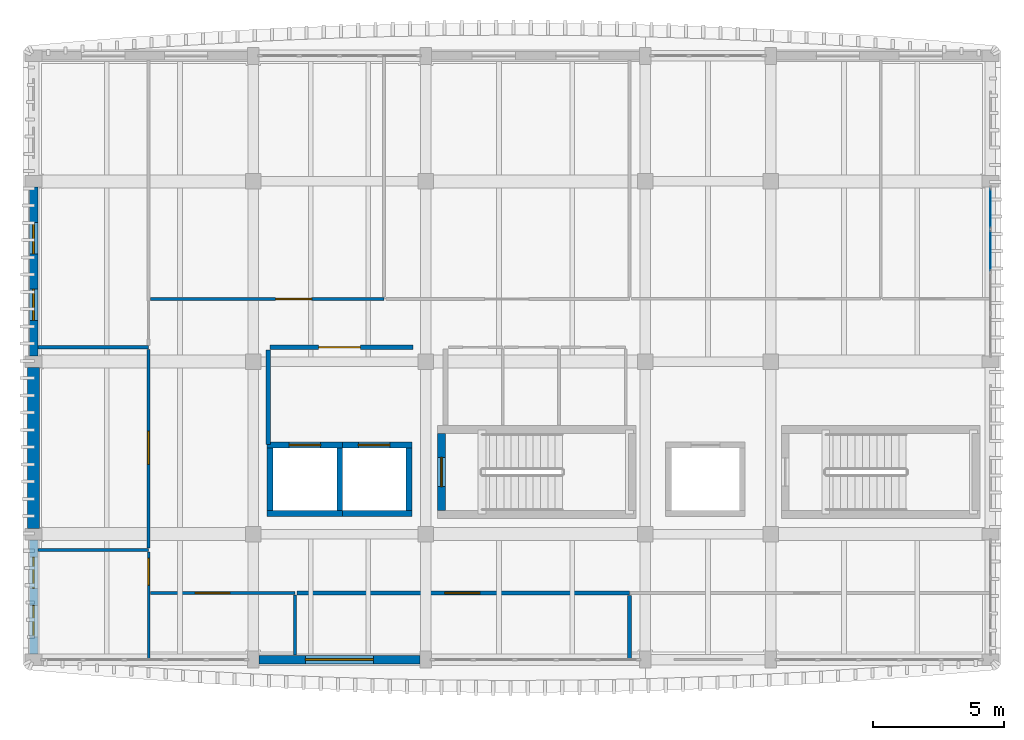
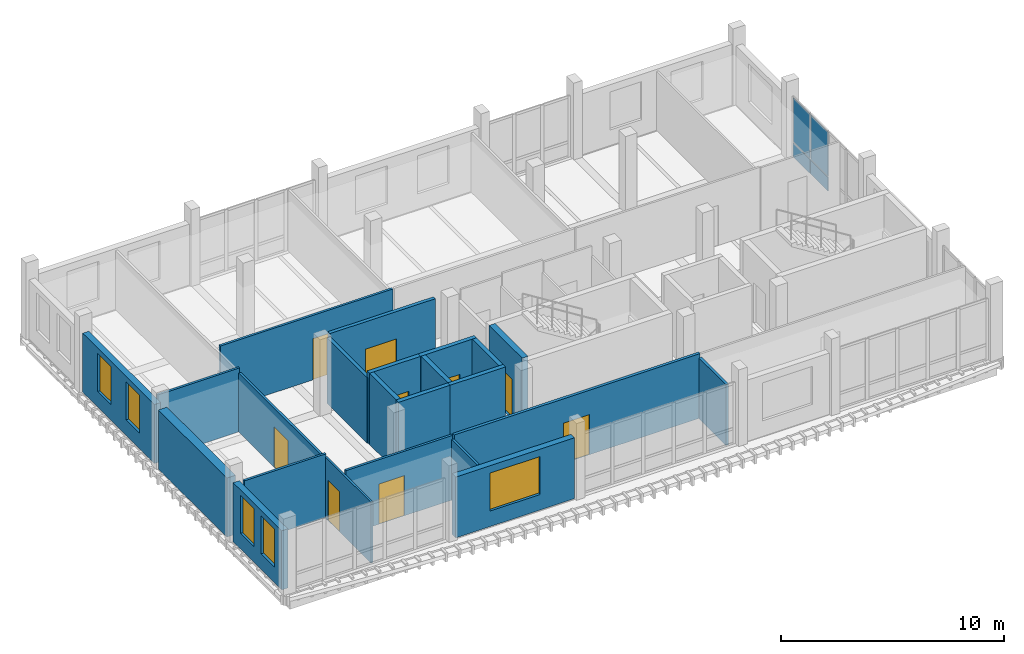
# One storey, part 7 of 16: 23 walls, 9 doors, 5 windows, 4 plates, 14 openings, 1 element without a shape of its own.
"""IFC4 building model written with IfcOpenShell, lengths in metres."""

from ifc_helpers import new_model, si_unit, direction, frame, frame_2d, origin, origin_2d, place, context, subcontext, project, spatial, rectangle, extrude, material, layer, layer_set, type_object, element, fill, aggregate, save


model = new_model("IFC4")

# Units and contexts
model_context = context("Model", 3, precision=1e-05, world=origin(), true_north=direction((0.0, 1.0)))
body_context = subcontext(model_context, "Body", "Model", "MODEL_VIEW")
ifc_project = project(units=[si_unit("LENGTHUNIT", "METRE"), si_unit("AREAUNIT", "SQUARE_METRE"), si_unit("VOLUMEUNIT", "CUBIC_METRE"), si_unit("PLANEANGLEUNIT", "RADIAN"), si_unit("MASSUNIT", "GRAM", prefix="KILO")], contexts=[model_context])

# Site, building, storey
site_placement = place(None, origin())
site = spatial("IfcSite", under=ifc_project, at=site_placement, CompositionType="ELEMENT")
building_placement = place(site_placement, origin())
building = spatial("IfcBuilding", under=site, at=building_placement, Name="Dornvale Research Institute", CompositionType="ELEMENT")
storey_placement = place(building_placement, frame((0.0, 0.0, 38.39990234375)))
storey = spatial("IfcBuildingStorey", under=building, at=storey_placement, Name="L08", CompositionType="ELEMENT", Elevation=38.39990234375)

# Curtain wall, plates
ifc_material_1 = material(Name="Low-E Argon Double Insulating Glazing Unit", Category="glass")
curtain_wall_type = type_object("IfcCurtainWallType", Name="UnitisedCurtainWall_V5_6450x3350", PredefinedType="USERDEFINED", material=ifc_material_1)
curtain_wall_placement = place(storey_placement, origin())
curtain_wall = element("IfcCurtainWall", 1, at=curtain_wall_placement, inside=storey, type_object=curtain_wall_type, Name="L08 V5 unitised curtain wall CW-36 #190", ObjectType="UNITISED CURTAIN WALL", PredefinedType="USERDEFINED")
ifc_material_2 = material(Name="Insulated Ceramic-Frit Spandrel Glass Panel", Category="glass")
ifc_layer_1 = layer(ifc_material_2, 0.0419921875)
ifc_layer_set_1 = layer_set([ifc_layer_1], Name="Insulated Ceramic-Frit Spandrel Glass Panel")
plate_type_1 = type_object("IfcPlateType", Name="CurtainPanel_Spandrel_42", PredefinedType="CURTAIN_PANEL", material=ifc_layer_set_1)
plate_1_placement = place(storey_placement, frame((41.39990234375, 116.25244140625, 0.065185546875), z_axis=(0.0, 0.0, 1.0), x_axis=(0.0, -1.0, 0.0)))
plate_1 = element("IfcPlate", 2, at=plate_1_placement, type_object=plate_type_1, Name="CW-36 panel 1.1", PredefinedType="CURTAIN_PANEL", context=body_context, shape_type="SweptSolid", body=[
    extrude(rectangle(XDim=1.514892578125, YDim=0.0419921875, at=origin_2d()), origin(), (0.0, 0.0, 1.0), 0.75244140625),
])
plate_2_placement = place(storey_placement, frame((41.39990234375, 114.65625, 0.065185546875), z_axis=(0.0, 0.0, 1.0), x_axis=(0.0, -1.0, 0.0)))
plate_2 = element("IfcPlate", 3, at=plate_2_placement, type_object=plate_type_1, Name="CW-36 panel 2.1", PredefinedType="CURTAIN_PANEL", context=body_context, shape_type="SweptSolid", body=[
    extrude(rectangle(XDim=1.547607421875, YDim=0.0419921875, at=origin_2d()), origin(), (0.0, 0.0, 1.0), 0.75244140625),
])
ifc_material_3 = material(Name="Low-E Argon Double Insulating Glazing Unit", Category="glass")
ifc_layer_2 = layer(ifc_material_3, 0.028076171875)
ifc_layer_set_2 = layer_set([ifc_layer_2], Name="Low-E Argon Double Insulating Glazing Unit")
plate_type_2 = type_object("IfcPlateType", Name="CurtainPanel_Vision_28", PredefinedType="CURTAIN_PANEL", material=ifc_layer_set_2)
plate_3_placement = place(storey_placement, frame((41.39990234375, 116.25244140625, 0.88232421875), z_axis=(0.0, 0.0, 1.0), x_axis=(0.0, -1.0, 0.0)))
plate_3 = element("IfcPlate", 4, at=plate_3_placement, type_object=plate_type_2, Name="CW-36 panel 1.2", PredefinedType="CURTAIN_PANEL", context=body_context, shape_type="SweptSolid", body=[
    extrude(rectangle(XDim=1.514892578125, YDim=0.028076171875, at=origin_2d()), origin(), (0.0, 0.0, 1.0), 2.402587890625),
])
plate_4_placement = place(storey_placement, frame((41.39990234375, 114.65625, 0.88232421875), z_axis=(0.0, 0.0, 1.0), x_axis=(0.0, -1.0, 0.0)))
plate_4 = element("IfcPlate", 5, at=plate_4_placement, type_object=plate_type_2, Name="CW-36 panel 2.2", PredefinedType="CURTAIN_PANEL", context=body_context, shape_type="SweptSolid", body=[
    extrude(rectangle(XDim=1.547607421875, YDim=0.028076171875, at=origin_2d()), origin(), (0.0, 0.0, 1.0), 2.402587890625),
])
aggregate(curtain_wall, [plate_1, plate_3, plate_2, plate_4])

# Walls
ifc_material_4 = material(Name="Acoustic Insulated Double-Stud Laboratory Partition")
ifc_layer_3 = layer(ifc_material_4, 0.1201171875)
ifc_layer_set_3 = layer_set([ifc_layer_3], Name="Acoustic Insulated Double-Stud Laboratory Partition")
wall_type_1 = type_object("IfcWallType", Name="Partition_Dry_120", PredefinedType="PARTITIONING", material=ifc_layer_set_3)
for number, where, z_axis, x_axis, name in (
    (6, (4.97509765625, 103.199951171875, 0.0), (0.0, 0.0, 1.0), (1.0, 0.0, 0.0), "L08 V5 interior partition #565"),
    (7, (4.97509765625, 110.949951171875, 0.0), (0.0, 0.0, 1.0), (1.0, 0.0, 0.0), "L08 V5 interior partition #566"),
):
    element("IfcWall", number, at=place(storey_placement, frame(where, z_axis=z_axis, x_axis=x_axis)), inside=storey, type_object=wall_type_1, Name=name, PredefinedType="PARTITIONING", context=body_context, shape_type="SweptSolid", body=[
        extrude(rectangle(XDim=4.224853515625, YDim=0.1201171875, at=frame_2d((2.1123046875, 0.0))), origin(), (0.0, 0.0, 1.0), 3.47998046875),
    ])

# Wall, opening, door
wall_1_placement = place(storey_placement, frame((9.199951171875, 103.27490234375, 0.0), z_axis=(0.0, 0.0, 1.0), x_axis=(0.0, 1.0, 0.0)))
wall_1 = element("IfcWall", 8, at=wall_1_placement, inside=storey, type_object=wall_type_1, Name="L08 V5 interior partition #567", PredefinedType="PARTITIONING", context=body_context, shape_type="SweptSolid", body=[
    extrude(rectangle(XDim=7.60009765625, YDim=0.1201171875, at=frame_2d((3.800048828125, 0.0))), origin(), (0.0, 0.0, 1.0), 3.22998046875),
])
opening_1_placement = place(wall_1_placement, frame((3.195068359375, 0.0, 0.0)))
opening_1 = element("IfcOpeningElement", 9, at=opening_1_placement, cuts=wall_1, Name="Opening ID-10", PredefinedType="OPENING", context=body_context, shape_type="SweptSolid", body=[
    extrude(rectangle(XDim=1.260009765625, YDim=2.199951171875, at=frame_2d((0.6298828125, 1.10009765625))), frame((0.0, 0.074951171875, 0.0), z_axis=(0.0, -1.0, 0.0), x_axis=(1.0, 0.0, 0.0)), (0.0, 0.0, 1.0), 0.150146484375),
])
ifc_material_5 = material(Name="Phenolic-Faced Solid-Core Laboratory Door Assembly")
door_type_1 = type_object("IfcDoorType", Name="Door_DryLab_1260x2200", OperationType="SINGLE_SWING_LEFT", PredefinedType="DOOR", material=ifc_material_5)
door_1_placement = place(opening_1_placement, origin())
door_1 = element("IfcDoor", 10, at=door_1_placement, inside=storey, type_object=door_type_1, Name="L08 Biophysics Laser Bench Room L08 door #236", OperationType="SINGLE_SWING_LEFT", OverallHeight=2.199951171875, OverallWidth=1.260009765625, PredefinedType="DOOR", context=body_context, shape_type="SweptSolid", body=[
    extrude(rectangle(XDim=1.260009765625, YDim=2.199951171875, at=frame_2d((0.6298828125, 1.10009765625))), frame((0.0, 0.02490234375, 0.0), z_axis=(0.0, -1.0, 0.0), x_axis=(1.0, 0.0, 0.0)), (0.0, 0.0, 1.0), 0.050048828125),
])
fill(opening_1, door_1)

wall_2_placement = place(storey_placement, frame((9.27490234375, 112.800048828125, 0.0), z_axis=(0.0, 0.0, 1.0), x_axis=(1.0, 0.0, 0.0)))
wall_2 = element("IfcWall", 11, at=wall_2_placement, inside=storey, type_object=wall_type_1, Name="L08 V5 interior partition #569", PredefinedType="PARTITIONING", context=body_context, shape_type="SweptSolid", body=[
    extrude(rectangle(XDim=8.925048828125, YDim=0.1201171875, at=frame_2d((4.46240234375, 0.0))), origin(), (0.0, 0.0, 1.0), 3.530029296875),
])
opening_2_placement = place(wall_2_placement, frame((4.784912109375, 0.0, 0.0)))
opening_2 = element("IfcOpeningElement", 12, at=opening_2_placement, cuts=wall_2, Name="Opening ID-08", PredefinedType="OPENING", context=body_context, shape_type="SweptSolid", body=[
    extrude(rectangle(XDim=1.3798828125, YDim=2.25, at=frame_2d((0.68994140625, 1.125))), frame((0.0, 0.074951171875, 0.0), z_axis=(0.0, -1.0, 0.0), x_axis=(1.0, 0.0, 0.0)), (0.0, 0.0, 1.0), 0.150146484375),
])
ifc_material_6 = material(Name="Insulated Fire-Rated Hollow Metal Door Assembly")
door_type_2 = type_object("IfcDoorType", Name="Door_DryLab_1380x2250", OperationType="SINGLE_SWING_LEFT", PredefinedType="DOOR", material=ifc_material_6)
door_2_placement = place(opening_2_placement, origin())
door_2 = element("IfcDoor", 13, at=door_2_placement, inside=storey, type_object=door_type_2, Name="L08 Theoretical Biophysics Laboratory door #238", OperationType="SINGLE_SWING_LEFT", OverallHeight=2.25, OverallWidth=1.3798828125, PredefinedType="DOOR", context=body_context, shape_type="SweptSolid", body=[
    extrude(rectangle(XDim=1.3798828125, YDim=2.25, at=frame_2d((0.68994140625, 1.125))), frame((0.0, 0.02490234375, 0.0), z_axis=(0.0, -1.0, 0.0), x_axis=(1.0, 0.0, 0.0)), (0.0, 0.0, 1.0), 0.050048828125),
])
fill(opening_2, door_2)

wall_3_placement = place(storey_placement, frame((9.264892578125, 101.550048828125, 0.0), z_axis=(0.0, 0.0, 1.0), x_axis=(1.0, 0.0, 0.0)))
wall_3 = element("IfcWall", 14, at=wall_3_placement, inside=storey, type_object=wall_type_1, Name="L08 V5 interior partition #577", PredefinedType="PARTITIONING", context=body_context, shape_type="SweptSolid", body=[
    extrude(rectangle(XDim=5.53515625, YDim=0.1201171875, at=frame_2d((2.767578125, 0.0))), origin(), (0.0, 0.0, 1.0), 3.530029296875),
])
opening_3_placement = place(wall_3_placement, frame((1.72509765625, 0.0, 0.0)))
opening_3 = element("IfcOpeningElement", 15, at=opening_3_placement, cuts=wall_3, Name="Opening ID-09", PredefinedType="OPENING", context=body_context, shape_type="SweptSolid", body=[
    extrude(rectangle(XDim=1.320068359375, YDim=2.199951171875, at=frame_2d((0.66015625, 1.10009765625))), frame((0.0, 0.074951171875, 0.0), z_axis=(0.0, -1.0, 0.0), x_axis=(1.0, 0.0, 0.0)), (0.0, 0.0, 1.0), 0.150146484375),
])
ifc_material_7 = material(Name="Phenolic-Faced Solid-Core Laboratory Door Assembly")
door_type_3 = type_object("IfcDoorType", Name="Door_DryLab_1320x2200", OperationType="SINGLE_SWING_LEFT", PredefinedType="DOOR", material=ifc_material_7)
door_3_placement = place(opening_3_placement, origin())
door_3 = element("IfcDoor", 16, at=door_3_placement, inside=storey, type_object=door_type_3, Name="L08 Evolutionary Dynamics Computational Lab door #243", OperationType="SINGLE_SWING_RIGHT", OverallHeight=2.199951171875, OverallWidth=1.320068359375, PredefinedType="DOOR", context=body_context, shape_type="SweptSolid", body=[
    extrude(rectangle(XDim=1.320068359375, YDim=2.199951171875, at=frame_2d((0.66015625, 1.10009765625))), frame((0.0, 0.02490234375, 0.0), z_axis=(0.0, -1.0, 0.0), x_axis=(1.0, 0.0, 0.0)), (0.0, 0.0, 1.0), 0.050048828125),
])
fill(opening_3, door_3)

# Wall
wall_4_placement = place(storey_placement, frame((14.800048828125, 99.175048828125, 0.0), z_axis=(0.0, 0.0, 1.0), x_axis=(0.0, 1.0, 0.0)))
element("IfcWall", 17, at=wall_4_placement, inside=storey, type_object=wall_type_1, Name="L08 V5 interior partition #578", PredefinedType="PARTITIONING", context=body_context, shape_type="SweptSolid", body=[
    extrude(rectangle(XDim=2.300048828125, YDim=0.1201171875, at=frame_2d((1.14990234375, 0.0))), origin(), (0.0, 0.0, 1.0), 3.330078125),
])

# Wall, opening, door
ifc_material_8 = material(Name="Fire-Rated Gypsum Board on Cold-Formed Steel Studs", Category="steel")
ifc_layer_4 = layer(ifc_material_8, 0.179931640625)
ifc_layer_set_4 = layer_set([ifc_layer_4], Name="Fire-Rated Gypsum Board on Cold-Formed Steel Studs")
wall_type_2 = type_object("IfcWallType", Name="Partition_FireLobby_180", PredefinedType="PARTITIONING", material=ifc_layer_set_4)
wall_5_placement = place(storey_placement, frame((13.85009765625, 110.949951171875, 0.0), z_axis=(0.0, 0.0, 1.0), x_axis=(1.0, 0.0, 0.0)))
wall_5 = element("IfcWall", 18, at=wall_5_placement, inside=storey, type_object=wall_type_2, Name="L08 Fire Service Access Elevator Lobby north rated partition", PredefinedType="PARTITIONING", context=body_context, shape_type="SweptSolid", body=[
    extrude(rectangle(XDim=5.469970703125, YDim=0.179931640625, at=frame_2d((2.73486328125, 0.0))), origin(), (0.0, 0.0, 1.0), 3.7451171875),
])
opening_4_placement = place(wall_5_placement, frame((1.85009765625, 0.0, 0.0)))
opening_4 = element("IfcOpeningElement", 19, at=opening_4_placement, cuts=wall_5, Name="Opening FD-01", PredefinedType="OPENING", context=body_context, shape_type="SweptSolid", body=[
    extrude(rectangle(XDim=1.60009765625, YDim=2.25, at=frame_2d((0.800048828125, 1.125))), frame((0.0, 0.10498046875, 0.0), z_axis=(0.0, -1.0, 0.0), x_axis=(1.0, 0.0, 0.0)), (0.0, 0.0, 1.0), 0.2099609375),
])
ifc_material_9 = material(Name="Insulated Fire-Rated Hollow Metal Door Assembly")
door_type_4 = type_object("IfcDoorType", Name="Door_FireLobby_1600x2250", OperationType="SINGLE_SWING_LEFT", PredefinedType="DOOR", material=ifc_material_9)
door_4_placement = place(opening_4_placement, origin())
door_4 = element("IfcDoor", 20, at=door_4_placement, inside=storey, type_object=door_type_4, Name="L08 Fire Service Access Elevator Lobby door", OperationType="DOUBLE_DOOR_SINGLE_SWING", OverallHeight=2.25, OverallWidth=1.60009765625, PredefinedType="DOOR", context=body_context, shape_type="SweptSolid", body=[
    extrude(rectangle(XDim=1.60009765625, YDim=2.25, at=frame_2d((0.800048828125, 1.125))), frame((0.0, 0.02490234375, 0.0), z_axis=(0.0, -1.0, 0.0), x_axis=(1.0, 0.0, 0.0)), (0.0, 0.0, 1.0), 0.050048828125),
])
fill(opening_4, door_4)

# Wall
wall_6_placement = place(storey_placement, frame((13.780029296875, 107.22998046875, 0.0), z_axis=(0.0, 0.0, 1.0), x_axis=(0.0, 1.0, 0.0)))
element("IfcWall", 21, at=wall_6_placement, inside=storey, type_object=wall_type_2, Name="L08 Fire Service Access Elevator Lobby west rated partition", PredefinedType="PARTITIONING", context=body_context, shape_type="SweptSolid", body=[
    extrude(rectangle(XDim=3.610107421875, YDim=0.179931640625, at=frame_2d((1.80517578125, 0.0))), origin(), (0.0, 0.0, 1.0), 3.580078125),
])

# Wall, opening, door
ifc_material_10 = material(Name="Acoustic Insulated Double-Stud Laboratory Partition")
ifc_layer_5 = layer(ifc_material_10, 0.14990234375)
ifc_layer_set_5 = layer_set([ifc_layer_5], Name="Acoustic Insulated Double-Stud Laboratory Partition")
wall_type_3 = type_object("IfcWallType", Name="Partition_Lab_150", PredefinedType="PARTITIONING", material=ifc_layer_set_5)
wall_7_placement = place(storey_placement, frame((14.875, 101.550048828125, 0.0), z_axis=(0.0, 0.0, 1.0), x_axis=(1.0, 0.0, 0.0)))
wall_7 = element("IfcWall", 22, at=wall_7_placement, inside=storey, type_object=wall_type_3, Name="L08 V5 interior partition #579", PredefinedType="PARTITIONING", context=body_context, shape_type="SweptSolid", body=[
    extrude(rectangle(XDim=12.72509765625, YDim=0.14990234375, at=frame_2d((6.362548828125, 0.0))), origin(), (0.0, 0.0, 1.0), 3.530029296875),
])
opening_5_placement = place(wall_7_placement, frame((5.655029296875, 0.0, 0.0)))
opening_5 = element("IfcOpeningElement", 23, at=opening_5_placement, cuts=wall_7, Name="Opening ID-15", PredefinedType="OPENING", context=body_context, shape_type="SweptSolid", body=[
    extrude(rectangle(XDim=1.340087890625, YDim=2.199951171875, at=frame_2d((0.669921875, 1.10009765625))), frame((0.0, 0.08984375, 0.0), z_axis=(0.0, -1.0, 0.0), x_axis=(1.0, 0.0, 0.0)), (0.0, 0.0, 1.0), 0.179931640625),
])
ifc_material_11 = material(Name="Insulated Fire-Rated Hollow Metal Door Assembly")
door_type_5 = type_object("IfcDoorType", Name="Door_Storage_1340x2200", OperationType="SINGLE_SWING_LEFT", PredefinedType="DOOR", material=ifc_material_11)
door_5_placement = place(opening_5_placement, origin())
door_5 = element("IfcDoor", 24, at=door_5_placement, inside=storey, type_object=door_type_5, Name="L08 Research Instrument Calibration Store door #244", OperationType="SINGLE_SWING_LEFT", OverallHeight=2.199951171875, OverallWidth=1.340087890625, PredefinedType="DOOR", context=body_context, shape_type="SweptSolid", body=[
    extrude(rectangle(XDim=1.340087890625, YDim=2.199951171875, at=frame_2d((0.669921875, 1.10009765625))), frame((0.0, 0.02490234375, 0.0), z_axis=(0.0, -1.0, 0.0), x_axis=(1.0, 0.0, 0.0)), (0.0, 0.0, 1.0), 0.050048828125),
])
fill(opening_5, door_5)

# Wall
wall_8_placement = place(storey_placement, frame((27.60009765625, 99.0400390625, 0.0), z_axis=(0.0, 0.0, 1.0), x_axis=(0.0, 1.0, 0.0)))
element("IfcWall", 25, at=wall_8_placement, inside=storey, type_object=wall_type_3, Name="L08 V5 interior partition #580", PredefinedType="PARTITIONING", context=body_context, shape_type="SweptSolid", body=[
    extrude(rectangle(XDim=2.419921875, YDim=0.14990234375, at=frame_2d((1.2099609375, 0.0))), origin(), (0.0, 0.0, 1.0), 3.330078125),
])

# Wall, opening, door
ifc_material_12 = material(Name="Acoustic Insulated Double-Stud Laboratory Partition")
ifc_layer_6 = layer(ifc_material_12, 0.10009765625)
ifc_layer_set_6 = layer_set([ifc_layer_6], Name="Acoustic Insulated Double-Stud Laboratory Partition")
wall_type_4 = type_object("IfcWallType", Name="Partition_Office_100", PredefinedType="PARTITIONING", material=ifc_layer_set_6)
wall_9_placement = place(storey_placement, frame((9.199951171875, 99.0400390625, 0.0), z_axis=(0.0, 0.0, 1.0), x_axis=(0.0, 1.0, 0.0)))
wall_9 = element("IfcWall", 26, at=wall_9_placement, inside=storey, type_object=wall_type_4, Name="L08 V5 interior partition #576", PredefinedType="PARTITIONING", context=body_context, shape_type="SweptSolid", body=[
    extrude(rectangle(XDim=4.0849609375, YDim=0.10009765625, at=frame_2d((2.04248046875, 0.0))), origin(), (0.0, 0.0, 1.0), 3.330078125),
])
opening_6_placement = place(wall_9_placement, frame((2.81494140625, 0.0, 0.0)))
opening_6 = element("IfcOpeningElement", 27, at=opening_6_placement, cuts=wall_9, Name="Opening ID-20", PredefinedType="OPENING", context=body_context, shape_type="SweptSolid", body=[
    extrude(rectangle(XDim=1.02001953125, YDim=2.199951171875, at=frame_2d((0.510009765625, 1.10009765625))), frame((0.0, 0.06494140625, 0.0), z_axis=(0.0, -1.0, 0.0), x_axis=(1.0, 0.0, 0.0)), (0.0, 0.0, 1.0), 0.130126953125),
])
ifc_material_13 = material(Name="Phenolic-Faced Solid-Core Laboratory Door Assembly")
door_type_6 = type_object("IfcDoorType", Name="Door_WriteUp_1020x2200", OperationType="SINGLE_SWING_LEFT", PredefinedType="DOOR", material=ifc_material_13)
door_6_placement = place(opening_6_placement, origin())
door_6 = element("IfcDoor", 28, at=door_6_placement, inside=storey, type_object=door_type_6, Name="L08 Research Instrument Study L08 door #242", OperationType="SINGLE_SWING_LEFT", OverallHeight=2.199951171875, OverallWidth=1.02001953125, PredefinedType="DOOR", context=body_context, shape_type="SweptSolid", body=[
    extrude(rectangle(XDim=1.02001953125, YDim=2.199951171875, at=frame_2d((0.510009765625, 1.10009765625))), frame((0.0, 0.02490234375, 0.0), z_axis=(0.0, -1.0, 0.0), x_axis=(1.0, 0.0, 0.0)), (0.0, 0.0, 1.0), 0.050048828125),
])
fill(opening_6, door_6)

ifc_material_14 = material(Name="Concrete f'c 50 MPa (C40/50)", Category="concrete")
ifc_layer_7 = layer(ifc_material_14, 0.300048828125)
ifc_layer_set_7 = layer_set([ifc_layer_7], Name="Concrete f'c 50 MPa (C40/50)")
wall_type_5 = type_object("IfcWallType", Name="ShearWall_Core_300", PredefinedType="SHEAR", material=ifc_layer_set_7)
wall_10_placement = place(storey_placement, frame((20.39990234375, 104.699951171875, 0.0), z_axis=(0.0, 0.0, 1.0), x_axis=(0.0, 1.0, 0.0)))
wall_10 = element("IfcWall", 29, at=wall_10_placement, inside=storey, type_object=wall_type_5, Name="L08 ST-1 shaft shear wall west", PredefinedType="SHEAR", context=body_context, shape_type="SweptSolid", body=[
    extrude(rectangle(XDim=2.9599609375, YDim=0.300048828125, at=frame_2d((1.47998046875, 0.0))), origin(), (0.0, 0.0, 1.0), 3.900146484375),
])
opening_7_placement = place(wall_10_placement, frame((0.919921875, 0.0, 0.0)))
opening_7 = element("IfcOpeningElement", 30, at=opening_7_placement, cuts=wall_10, Name="Opening SD-01", PredefinedType="OPENING", context=body_context, shape_type="SweptSolid", body=[
    extrude(rectangle(XDim=1.1201171875, YDim=2.199951171875, at=frame_2d((0.56005859375, 1.10009765625))), frame((0.0, 0.1650390625, 0.0), z_axis=(0.0, -1.0, 0.0), x_axis=(1.0, 0.0, 0.0)), (0.0, 0.0, 1.0), 0.330078125),
])
ifc_material_15 = material(Name="Insulated Fire-Rated Hollow Metal Door Assembly")
door_type_7 = type_object("IfcDoorType", Name="Door_Stair_1120x2200", OperationType="SINGLE_SWING_LEFT", PredefinedType="DOOR", material=ifc_material_15)
door_7_placement = place(opening_7_placement, origin())
door_7 = element("IfcDoor", 31, at=door_7_placement, inside=storey, type_object=door_type_7, Name="L08 ST-1 exit stair door #10", OperationType="SINGLE_SWING_RIGHT", OverallHeight=2.199951171875, OverallWidth=1.1201171875, PredefinedType="DOOR", context=body_context, shape_type="SweptSolid", body=[
    extrude(rectangle(XDim=1.1201171875, YDim=2.199951171875, at=frame_2d((0.56005859375, 1.10009765625))), frame((0.0, 0.02490234375, 0.0), z_axis=(0.0, -1.0, 0.0), x_axis=(1.0, 0.0, 0.0)), (0.0, 0.0, 1.0), 0.050048828125),
])
fill(opening_7, door_7)

# Wall
ifc_material_16 = material(Name="Concrete f'c 45 MPa (C35/45)", Category="concrete")
ifc_layer_8 = layer(ifc_material_16, 0.219970703125)
ifc_layer_set_8 = layer_set([ifc_layer_8], Name="Concrete f'c 45 MPa (C35/45)")
wall_type_6 = type_object("IfcWallType", Name="ShearWall_Shaft_220", PredefinedType="SHEAR", material=ifc_layer_set_8)
wall_11_placement = place(storey_placement, frame((13.72998046875, 104.590087890625, 0.0), z_axis=(0.0, 0.0, 1.0), x_axis=(1.0, 0.0, 0.0)))
element("IfcWall", 32, at=wall_11_placement, inside=storey, type_object=wall_type_6, Name="L08 FS1 elevator shaft wall south", PredefinedType="SHEAR", context=body_context, shape_type="SweptSolid", body=[
    extrude(rectangle(XDim=2.89013671875, YDim=0.219970703125, at=frame_2d((1.445068359375, 0.0))), origin(), (0.0, 0.0, 1.0), 3.900146484375),
])

# Wall, opening, door
wall_12_placement = place(storey_placement, frame((13.72998046875, 107.2099609375, 0.0), z_axis=(0.0, 0.0, 1.0), x_axis=(1.0, 0.0, 0.0)))
wall_12 = element("IfcWall", 33, at=wall_12_placement, inside=storey, type_object=wall_type_6, Name="L08 FS1 elevator shaft wall north", PredefinedType="SHEAR", context=body_context, shape_type="SweptSolid", body=[
    extrude(rectangle(XDim=2.89013671875, YDim=0.219970703125, at=frame_2d((1.445068359375, 0.0))), origin(), (0.0, 0.0, 1.0), 3.900146484375),
])
opening_8_placement = place(wall_12_placement, frame((0.844970703125, 0.0, 0.0)))
opening_8 = element("IfcOpeningElement", 34, at=opening_8_placement, cuts=wall_12, Name="Opening LD-01", PredefinedType="OPENING", context=body_context, shape_type="SweptSolid", body=[
    extrude(rectangle(XDim=1.199951171875, YDim=2.199951171875, at=frame_2d((0.60009765625, 1.10009765625))), frame((0.0, 0.125, 0.0), z_axis=(0.0, -1.0, 0.0), x_axis=(1.0, 0.0, 0.0)), (0.0, 0.0, 1.0), 0.25),
])
ifc_material_17 = material(Name="Brushed Stainless Steel Sliding Elevator Landing Door", Category="steel")
door_type_8 = type_object("IfcDoorType", Name="Door_LiftLanding_FSAE_1200x2200", OperationType="SINGLE_SWING_LEFT", PredefinedType="DOOR", material=ifc_material_17)
door_8_placement = place(opening_8_placement, origin())
door_8 = element("IfcDoor", 35, at=door_8_placement, inside=storey, type_object=door_type_8, Name="L08 FS1 sliding elevator landing door #10", OperationType="DOUBLE_DOOR_SLIDING", OverallHeight=2.199951171875, OverallWidth=1.199951171875, PredefinedType="DOOR", context=body_context, shape_type="SweptSolid", body=[
    extrude(rectangle(XDim=1.199951171875, YDim=2.199951171875, at=frame_2d((0.60009765625, 1.10009765625))), frame((0.0, 0.02490234375, 0.0), z_axis=(0.0, -1.0, 0.0), x_axis=(1.0, 0.0, 0.0)), (0.0, 0.0, 1.0), 0.050048828125),
])
fill(opening_8, door_8)

# Walls
for number, where, z_axis, x_axis, name in (
    (36, (13.840087890625, 104.699951171875, 0.0), (0.0, 0.0, 1.0), (0.0, 1.0, 0.0), "L08 FS1 elevator shaft wall west"),
    (37, (16.510009765625, 104.699951171875, 0.0), (0.0, 0.0, 1.0), (0.0, 1.0, 0.0), "L08 FS1 elevator shaft wall east"),
):
    element("IfcWall", number, at=place(storey_placement, frame(where, z_axis=z_axis, x_axis=x_axis)), inside=storey, type_object=wall_type_6, Name=name, PredefinedType="SHEAR", context=body_context, shape_type="SweptSolid", body=[
        extrude(rectangle(XDim=2.400146484375, YDim=0.219970703125, at=frame_2d((1.2001953125, 0.0))), origin(), (0.0, 0.0, 1.0), 3.900146484375),
    ])
wall_13_placement = place(storey_placement, frame((16.3798828125, 104.590087890625, 0.0), z_axis=(0.0, 0.0, 1.0), x_axis=(1.0, 0.0, 0.0)))
element("IfcWall", 38, at=wall_13_placement, inside=storey, type_object=wall_type_6, Name="L08 FS2 elevator shaft wall south", PredefinedType="SHEAR", context=body_context, shape_type="SweptSolid", body=[
    extrude(rectangle(XDim=2.89013671875, YDim=0.219970703125, at=frame_2d((1.445068359375, 0.0))), origin(), (0.0, 0.0, 1.0), 3.900146484375),
])

# Wall, opening, door
wall_14_placement = place(storey_placement, frame((16.3798828125, 107.2099609375, 0.0), z_axis=(0.0, 0.0, 1.0), x_axis=(1.0, 0.0, 0.0)))
wall_14 = element("IfcWall", 39, at=wall_14_placement, inside=storey, type_object=wall_type_6, Name="L08 FS2 elevator shaft wall north", PredefinedType="SHEAR", context=body_context, shape_type="SweptSolid", body=[
    extrude(rectangle(XDim=2.89013671875, YDim=0.219970703125, at=frame_2d((1.445068359375, 0.0))), origin(), (0.0, 0.0, 1.0), 3.900146484375),
])
opening_9_placement = place(wall_14_placement, frame((0.844970703125, 0.0, 0.0)))
opening_9 = element("IfcOpeningElement", 40, at=opening_9_placement, cuts=wall_14, Name="Opening LD-01", PredefinedType="OPENING", context=body_context, shape_type="SweptSolid", body=[
    extrude(rectangle(XDim=1.199951171875, YDim=2.199951171875, at=frame_2d((0.60009765625, 1.10009765625))), frame((0.0, 0.125, 0.0), z_axis=(0.0, -1.0, 0.0), x_axis=(1.0, 0.0, 0.0)), (0.0, 0.0, 1.0), 0.25),
])
door_9_placement = place(opening_9_placement, origin())
door_9 = element("IfcDoor", 41, at=door_9_placement, inside=storey, type_object=door_type_8, Name="L08 FS2 sliding elevator landing door #22", OperationType="DOUBLE_DOOR_SLIDING", OverallHeight=2.199951171875, OverallWidth=1.199951171875, PredefinedType="DOOR", context=body_context, shape_type="SweptSolid", body=[
    extrude(rectangle(XDim=1.199951171875, YDim=2.199951171875, at=frame_2d((0.60009765625, 1.10009765625))), frame((0.0, 0.02490234375, 0.0), z_axis=(0.0, -1.0, 0.0), x_axis=(1.0, 0.0, 0.0)), (0.0, 0.0, 1.0), 0.050048828125),
])
fill(opening_9, door_9)

# Walls
wall_15_placement = place(storey_placement, frame((19.159912109375, 104.699951171875, 0.0), z_axis=(0.0, 0.0, 1.0), x_axis=(0.0, 1.0, 0.0)))
element("IfcWall", 42, at=wall_15_placement, inside=storey, type_object=wall_type_6, Name="L08 FS2 elevator shaft wall east", PredefinedType="SHEAR", context=body_context, shape_type="SweptSolid", body=[
    extrude(rectangle(XDim=2.400146484375, YDim=0.219970703125, at=frame_2d((1.2001953125, 0.0))), origin(), (0.0, 0.0, 1.0), 3.900146484375),
])
ifc_material_18 = material(Name="Precast Concrete f'c 40 MPa (C32/40) and Glazed Terracotta Backup Wall", Category="masonry")
ifc_layer_9 = layer(ifc_material_18, 0.449951171875)
ifc_layer_set_9 = layer_set([ifc_layer_9], Name="Precast Concrete f'c 40 MPa (C32/40) and Glazed Terracotta Backup Wall")
wall_type_7 = type_object("IfcWallType", Name="SolidWall_ShearBraceBay_450", PredefinedType="SOLIDWALL", material=ifc_layer_set_9)
wall_16_placement = place(storey_placement, frame((4.800048828125, 104.02490234375, 0.0), z_axis=(0.0, 0.0, 1.0), x_axis=(0.0, 1.0, 0.0)))
element("IfcWall", 43, at=wall_16_placement, inside=storey, type_object=wall_type_7, Name="L08 V5 west exterior wall #393", PredefinedType="SOLIDWALL", context=body_context, shape_type="SweptSolid", body=[
    extrude(rectangle(XDim=6.150146484375, YDim=0.449951171875, at=frame_2d((3.0751953125, 0.0))), origin(), (0.0, 0.0, 1.0), 3.22998046875),
])

# Wall, openings, windows
ifc_material_19 = material(Name="Catalan Pressed Brick and Insulated Cavity Assembly", Category="masonry")
ifc_layer_10 = layer(ifc_material_19, 0.320068359375)
ifc_layer_set_10 = layer_set([ifc_layer_10], Name="Catalan Pressed Brick and Insulated Cavity Assembly")
wall_type_8 = type_object("IfcWallType", Name="StandardWall_BrickCavity_320", PredefinedType="STANDARD", material=ifc_layer_set_10)
wall_17_placement = place(storey_placement, frame((4.800048828125, 99.22509765625, 0.0), z_axis=(0.0, 0.0, 1.0), x_axis=(0.0, 1.0, 0.0)))
wall_17 = element("IfcWall", 44, at=wall_17_placement, inside=storey, type_object=wall_type_8, Name="L08 V5 west exterior wall #392", PredefinedType="STANDARD", context=body_context, shape_type="SweptSolid", body=[
    extrude(rectangle(XDim=4.349853515625, YDim=0.320068359375, at=frame_2d((2.1748046875, 0.0))), origin(), (0.0, 0.0, 1.0), 3.22998046875),
])
opening_10_placement = place(wall_17_placement, frame((0.64990234375, 0.0, 0.85009765625)))
opening_10 = element("IfcOpeningElement", 45, at=opening_10_placement, cuts=wall_17, Name="Opening W-37", PredefinedType="OPENING", context=body_context, shape_type="SweptSolid", body=[
    extrude(rectangle(XDim=1.199951171875, YDim=2.080078125, at=frame_2d((0.60009765625, 1.0400390625))), frame((0.0, 0.175048828125, 0.0), z_axis=(0.0, -1.0, 0.0), x_axis=(1.0, 0.0, 0.0)), (0.0, 0.0, 1.0), 0.35009765625),
])
opening_11_placement = place(wall_17_placement, frame((2.5, 0.0, 0.85009765625)))
opening_11 = element("IfcOpeningElement", 46, at=opening_11_placement, cuts=wall_17, Name="Opening W-37", PredefinedType="OPENING", context=body_context, shape_type="SweptSolid", body=[
    extrude(rectangle(XDim=1.199951171875, YDim=2.080078125, at=frame_2d((0.60009765625, 1.0400390625))), frame((0.0, 0.175048828125, 0.0), z_axis=(0.0, -1.0, 0.0), x_axis=(1.0, 0.0, 0.0)), (0.0, 0.0, 1.0), 0.35009765625),
])
ifc_material_20 = material(Name="Low-E Argon Double Insulating Glazing Unit", Category="glass")
window_type_1 = type_object("IfcWindowType", Name="Window_Alu_1200x2080_37", PartitioningType="SINGLE_PANEL", PredefinedType="WINDOW", material=ifc_material_20)
window_1_placement = place(opening_10_placement, origin())
window_1 = element("IfcWindow", 47, at=window_1_placement, inside=storey, type_object=window_type_1, Name="L08 V5 facade window W-37 #521", OverallHeight=2.080078125, OverallWidth=1.199951171875, PartitioningType="SINGLE_PANEL", PredefinedType="WINDOW", context=body_context, shape_type="SweptSolid", body=[
    extrude(rectangle(XDim=1.199951171875, YDim=2.080078125, at=frame_2d((0.60009765625, 1.0400390625))), frame((0.0, 0.030029296875, 0.0), z_axis=(0.0, -1.0, 0.0), x_axis=(1.0, 0.0, 0.0)), (0.0, 0.0, 1.0), 0.06005859375),
])
fill(opening_10, window_1)
window_2_placement = place(opening_11_placement, origin())
window_2 = element("IfcWindow", 48, at=window_2_placement, inside=storey, type_object=window_type_1, Name="L08 V5 facade window W-37 #522", OverallHeight=2.080078125, OverallWidth=1.199951171875, PartitioningType="SINGLE_PANEL", PredefinedType="WINDOW", context=body_context, shape_type="SweptSolid", body=[
    extrude(rectangle(XDim=1.199951171875, YDim=2.080078125, at=frame_2d((0.60009765625, 1.0400390625))), frame((0.0, 0.030029296875, 0.0), z_axis=(0.0, -1.0, 0.0), x_axis=(1.0, 0.0, 0.0)), (0.0, 0.0, 1.0), 0.06005859375),
])
fill(opening_11, window_2)

wall_18_placement = place(storey_placement, frame((4.800048828125, 110.625, 0.0), z_axis=(0.0, 0.0, 1.0), x_axis=(0.0, 1.0, 0.0)))
wall_18 = element("IfcWall", 49, at=wall_18_placement, inside=storey, type_object=wall_type_8, Name="L08 V5 west exterior wall #394", PredefinedType="STANDARD", context=body_context, shape_type="SweptSolid", body=[
    extrude(rectangle(XDim=6.449951171875, YDim=0.320068359375, at=frame_2d((3.22509765625, 0.0))), origin(), (0.0, 0.0, 1.0), 3.22998046875),
])
opening_12_placement = place(wall_18_placement, frame((1.35009765625, 0.0, 0.85009765625)))
opening_12 = element("IfcOpeningElement", 50, at=opening_12_placement, cuts=wall_18, Name="Opening W-37", PredefinedType="OPENING", context=body_context, shape_type="SweptSolid", body=[
    extrude(rectangle(XDim=1.199951171875, YDim=2.080078125, at=frame_2d((0.60009765625, 1.0400390625))), frame((0.0, 0.175048828125, 0.0), z_axis=(0.0, -1.0, 0.0), x_axis=(1.0, 0.0, 0.0)), (0.0, 0.0, 1.0), 0.35009765625),
])
opening_13_placement = place(wall_18_placement, frame((3.89990234375, 0.0, 0.85009765625)))
opening_13 = element("IfcOpeningElement", 51, at=opening_13_placement, cuts=wall_18, Name="Opening W-37", PredefinedType="OPENING", context=body_context, shape_type="SweptSolid", body=[
    extrude(rectangle(XDim=1.199951171875, YDim=2.080078125, at=frame_2d((0.60009765625, 1.0400390625))), frame((0.0, 0.175048828125, 0.0), z_axis=(0.0, -1.0, 0.0), x_axis=(1.0, 0.0, 0.0)), (0.0, 0.0, 1.0), 0.35009765625),
])
window_3_placement = place(opening_12_placement, origin())
window_3 = element("IfcWindow", 52, at=window_3_placement, inside=storey, type_object=window_type_1, Name="L08 V5 facade window W-37 #523", OverallHeight=2.080078125, OverallWidth=1.199951171875, PartitioningType="SINGLE_PANEL", PredefinedType="WINDOW", context=body_context, shape_type="SweptSolid", body=[
    extrude(rectangle(XDim=1.199951171875, YDim=2.080078125, at=frame_2d((0.60009765625, 1.0400390625))), frame((0.0, 0.030029296875, 0.0), z_axis=(0.0, -1.0, 0.0), x_axis=(1.0, 0.0, 0.0)), (0.0, 0.0, 1.0), 0.06005859375),
])
fill(opening_12, window_3)
window_4_placement = place(opening_13_placement, origin())
window_4 = element("IfcWindow", 53, at=window_4_placement, inside=storey, type_object=window_type_1, Name="L08 V5 facade window W-37 #524", OverallHeight=2.080078125, OverallWidth=1.199951171875, PartitioningType="SINGLE_PANEL", PredefinedType="WINDOW", context=body_context, shape_type="SweptSolid", body=[
    extrude(rectangle(XDim=1.199951171875, YDim=2.080078125, at=frame_2d((0.60009765625, 1.0400390625))), frame((0.0, 0.030029296875, 0.0), z_axis=(0.0, -1.0, 0.0), x_axis=(1.0, 0.0, 0.0)), (0.0, 0.0, 1.0), 0.06005859375),
])
fill(opening_13, window_4)

# Wall, opening, window
wall_19_placement = place(storey_placement, frame((19.574951171875, 99.0, 0.0), z_axis=(0.0, 0.0, 1.0), x_axis=(-1.0, 0.0, 0.0)))
wall_19 = element("IfcWall", 54, at=wall_19_placement, inside=storey, type_object=wall_type_8, Name="L08 V5 south exterior wall #402", PredefinedType="STANDARD", context=body_context, shape_type="SweptSolid", body=[
    extrude(rectangle(XDim=6.14990234375, YDim=0.320068359375, at=frame_2d((3.074951171875, 0.0))), origin(), (0.0, 0.0, 1.0), 3.330078125),
])
opening_14_placement = place(wall_19_placement, frame((1.77490234375, 0.0, 0.85009765625)))
opening_14 = element("IfcOpeningElement", 55, at=opening_14_placement, cuts=wall_19, Name="Opening W-46", PredefinedType="OPENING", context=body_context, shape_type="SweptSolid", body=[
    extrude(rectangle(XDim=2.60009765625, YDim=2.080078125, at=frame_2d((1.300048828125, 1.0400390625))), frame((0.0, 0.175048828125, 0.0), z_axis=(0.0, -1.0, 0.0), x_axis=(1.0, 0.0, 0.0)), (0.0, 0.0, 1.0), 0.35009765625),
])
ifc_material_21 = material(Name="Low-E Argon Double Insulating Glazing Unit", Category="glass")
window_type_2 = type_object("IfcWindowType", Name="Window_Alu_2600x2080_46", PartitioningType="DOUBLE_PANEL_VERTICAL", PredefinedType="WINDOW", material=ifc_material_21)
window_5_placement = place(opening_14_placement, origin())
window_5 = element("IfcWindow", 56, at=window_5_placement, inside=storey, type_object=window_type_2, Name="L08 V5 facade window W-46 #537", OverallHeight=2.080078125, OverallWidth=2.60009765625, PartitioningType="DOUBLE_PANEL_VERTICAL", PredefinedType="WINDOW", context=body_context, shape_type="SweptSolid", body=[
    extrude(rectangle(XDim=2.60009765625, YDim=2.080078125, at=frame_2d((1.300048828125, 1.0400390625))), frame((0.0, 0.030029296875, 0.0), z_axis=(0.0, -1.0, 0.0), x_axis=(1.0, 0.0, 0.0)), (0.0, 0.0, 1.0), 0.06005859375),
])
fill(opening_14, window_5)

save(model, "model.ifc")
